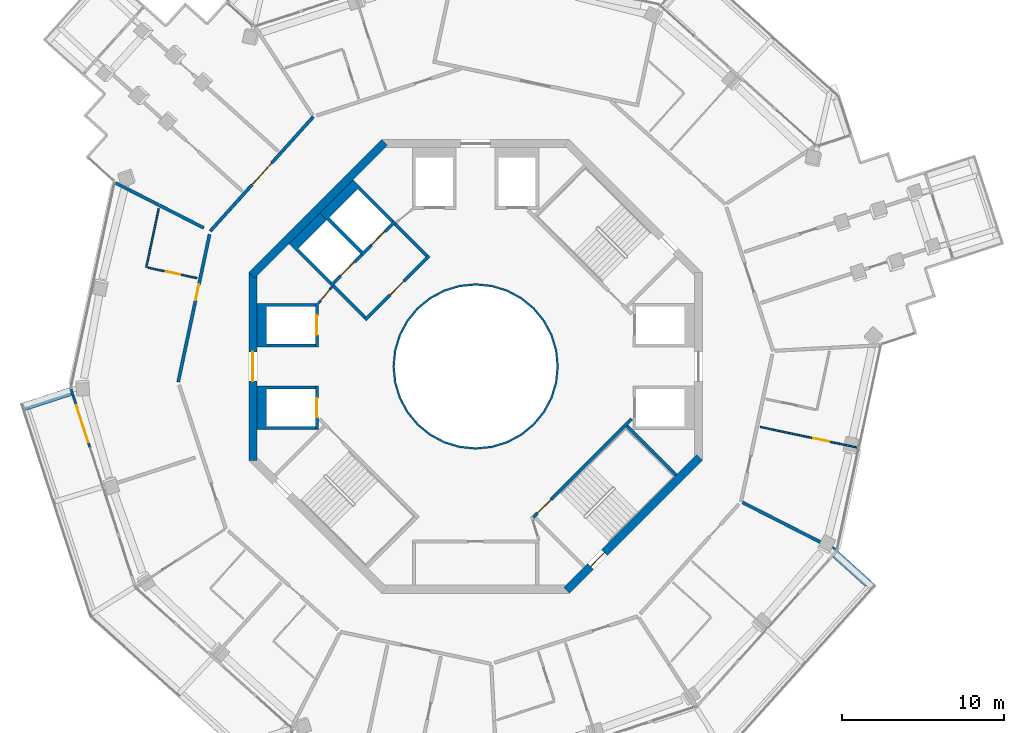
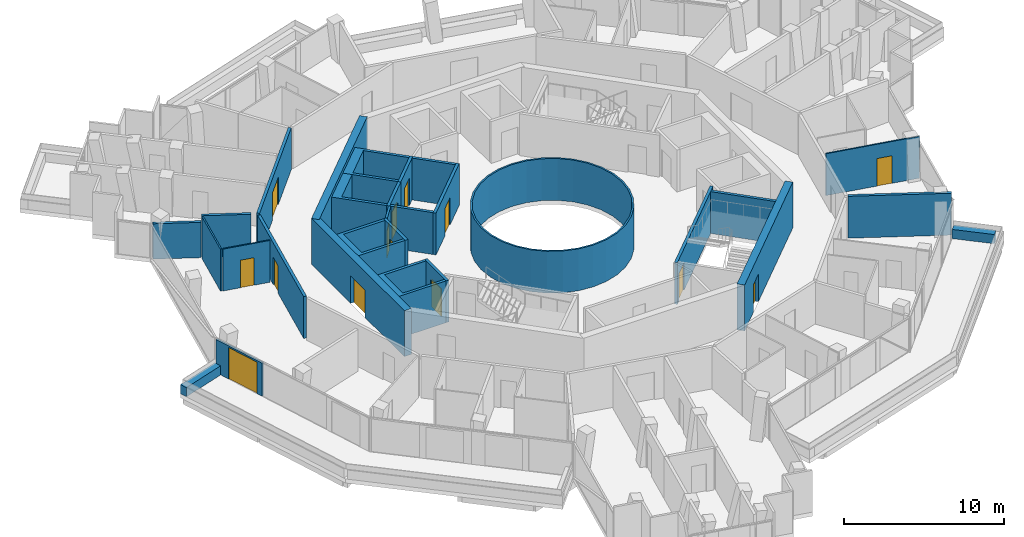
# One storey, part 16 of 22: 29 walls, 14 doors, 14 openings.
"""IFC4 building model written with IfcOpenShell, lengths in metres."""

import ifcopenshell
import ifcopenshell.guid

model = None  # the IFC model being written
_history = None  # IfcOwnerHistory: only IFC2X3 demands one
_inside = {}  # id of a spatial element -> (the spatial element, [elements in it])
_under = {}  # id of a project, library or spatial element -> (it, [spatial elements below it])
_declared = {}  # id of a project -> (the project, [libraries it declares])
_typed = {}  # id of a type object -> (the type object, [elements of that type])
_made_of = {}  # id of a material, layer set ... -> (it, [elements and type objects made of it])


def new_model(schema):
    """Start an empty IFC model of exactly this schema.

    Asked for "IFC4X3", IfcOpenShell would pick the latest addendum, in which some entities
    have other attributes; the version numbers below select the first issue.
    IFC2X3 requires an IfcOwnerHistory on every rooted entity: one is made here for all.
    """
    global model, _history
    if schema == "IFC4X3":
        model = ifcopenshell.file(schema_version=(4, 3, 0, 0))
    else:
        model = ifcopenshell.file(schema=schema)
    _inside.clear()
    _under.clear()
    _declared.clear()
    _typed.clear()
    _made_of.clear()
    _history = None
    if model.schema == "IFC2X3":
        org = make("IfcOrganization", Name="unknown")
        user = make(
            "IfcPersonAndOrganization",
            ThePerson=make("IfcPerson", FamilyName="unknown"),
            TheOrganization=org,
        )
        app = make(
            "IfcApplication",
            ApplicationDeveloper=org,
            Version="unknown",
            ApplicationFullName="unknown",
            ApplicationIdentifier="unknown",
        )
        _history = make(
            "IfcOwnerHistory",
            OwningUser=user,
            OwningApplication=app,
            ChangeAction="ADDED",
            CreationDate=0,
        )
    return model


def make(cls, **values):
    """One entity of the class cls with the attributes given. An attribute that is None is left unset."""
    return model.create_entity(
        cls, **{name: value for name, value in values.items() if value is not None}
    )


def rooted(cls, **values):
    """An entity with a GlobalId (a new one), such as an element, a storey or a relation."""
    return make(cls, GlobalId=ifcopenshell.guid.new(), OwnerHistory=_history, **values)


def si_unit(unit_type, name, prefix=None):
    """IfcSIUnit, for example si_unit("LENGTHUNIT", "METRE", prefix="MILLI")."""
    return make("IfcSIUnit", UnitType=unit_type, Prefix=prefix, Name=name)


def assignment(units):
    """IfcUnitAssignment: the units of a project."""
    return None if units is None else make("IfcUnitAssignment", Units=units)


def point(xyz):
    """IfcCartesianPoint."""
    return None if xyz is None else make("IfcCartesianPoint", Coordinates=xyz)


def direction(xyz):
    """IfcDirection."""
    return None if xyz is None else make("IfcDirection", DirectionRatios=xyz)


def frame(location, z_axis=None, x_axis=None):
    """IfcAxis2Placement3D, a coordinate frame: its origin and axes. An axis left out is left unset."""
    return make(
        "IfcAxis2Placement3D",
        Location=point(location),
        Axis=direction(z_axis),
        RefDirection=direction(x_axis),
    )


def frame_2d(location, x_axis=None):
    """IfcAxis2Placement2D, a coordinate frame in the plane: its origin and x axis."""
    return make(
        "IfcAxis2Placement2D", Location=point(location), RefDirection=direction(x_axis)
    )


def origin():
    """The frame at (0, 0, 0) with its axes left unset."""
    return frame((0.0, 0.0, 0.0))


def place(relative_to, where):
    """IfcLocalPlacement: puts the frame where relative to a parent placement (None: the world)."""
    return make(
        "IfcLocalPlacement", PlacementRelTo=relative_to, RelativePlacement=where
    )


def context(
    kind, dimensions, precision=None, world=None, true_north=None, identifier=None
):
    """IfcGeometricRepresentationContext, for example the 3D "Model" context."""
    return make(
        "IfcGeometricRepresentationContext",
        ContextIdentifier=identifier,
        ContextType=kind,
        CoordinateSpaceDimension=dimensions,
        Precision=precision,
        WorldCoordinateSystem=world,
        TrueNorth=true_north,
    )


def subcontext(parent, identifier, kind, view, scale=None):
    """IfcGeometricRepresentationSubContext, for example "Body" below "Model"."""
    return make(
        "IfcGeometricRepresentationSubContext",
        ContextIdentifier=identifier,
        ContextType=kind,
        ParentContext=parent,
        TargetScale=scale,
        TargetView=view,
    )


def project(units=None, contexts=None):
    """IfcProject with its units and contexts."""
    return rooted(
        "IfcProject",
        Name="project",
        RepresentationContexts=contexts,
        UnitsInContext=assignment(units),
    )


def spatial(cls, under=None, at=None, **own):
    """A site, building, storey or space (cls), placed at a placement, below another one or the project."""
    s = rooted(cls, ObjectPlacement=at, **own)
    if under is not None:
        _under.setdefault(under.id(), (under, []))[1].append(s)
    return s


def polyline(points):
    """IfcPolyline through the points."""
    return make("IfcPolyline", Points=[point(p) for p in points])


def profile(cls, at=None, kind="AREA", **sizes):
    """A parametric profile (cls). Its sizes go by their IFC names, for example OverallWidth=200.0."""
    return make(cls, ProfileType=kind, Position=at, **sizes)


def rectangle(**sizes):
    """IfcRectangleProfileDef."""
    return profile("IfcRectangleProfileDef", **sizes)


def outline(outer, holes=None, kind="AREA"):
    """IfcArbitraryClosedProfileDef: a profile drawn as a closed curve; with holes, ...WithVoids."""
    if holes is None:
        return make("IfcArbitraryClosedProfileDef", ProfileType=kind, OuterCurve=outer)
    return make(
        "IfcArbitraryProfileDefWithVoids",
        ProfileType=kind,
        OuterCurve=outer,
        InnerCurves=holes,
    )


def extrude(swept, where, along, depth):
    """IfcExtrudedAreaSolid: the profile swept, set in the frame where, extruded along a direction by depth."""
    return make(
        "IfcExtrudedAreaSolid",
        SweptArea=swept,
        Position=where,
        ExtrudedDirection=direction(along),
        Depth=depth,
    )


def shape(context_of_items, identifier, shape_type, items):
    """IfcShapeRepresentation: the items that make up one representation, for example the "Body"."""
    return make(
        "IfcShapeRepresentation",
        ContextOfItems=context_of_items,
        RepresentationIdentifier=identifier,
        RepresentationType=shape_type,
        Items=items,
    )


def material(Name=None, Category=None):
    """IfcMaterial."""
    return make("IfcMaterial", Name=Name, Category=Category)


def layer(
    of_material, thickness, ventilated=None, Name=None, Category=None, Priority=None
):
    """IfcMaterialLayer: one layer of a wall or slab, of a material (None: an air gap)."""
    return make(
        "IfcMaterialLayer",
        Material=of_material,
        LayerThickness=thickness,
        IsVentilated=ventilated,
        Name=Name,
        Category=Category,
        Priority=Priority,
    )


def layer_set(layers, Name=None):
    """IfcMaterialLayerSet."""
    return make("IfcMaterialLayerSet", MaterialLayers=layers, LayerSetName=Name)


def made_of(thing, what):
    """Note that an element or type object is made of a material, layer set ...; save() writes the relation."""
    if what is not None:
        _made_of.setdefault(what.id(), (what, []))[1].append(thing)
    return thing


def type_object(cls, material=None, **own):
    """A type object (cls), such as IfcWallType, which elements share."""
    return made_of(rooted(cls, **own), material)


def element(
    cls,
    number,
    at=None,
    inside=None,
    cuts=None,
    type_object=None,
    material=None,
    context=None,
    identifier="Body",
    shape_type=None,
    held_by="IfcProductDefinitionShape",
    body=None,
    shapes=None,
    **own,
):
    """One element of the class cls, such as IfcWall. Its Tag is "e" and its number.

    at: its placement. inside: the storey or other place that contains it. cuts: it is an
    opening in that element (IfcRelVoidsElement). A single representation is given by context,
    identifier, shape_type and body (its items); several are given by shapes. held_by: the class
    of the entity that holds the representations. save() writes the other relations.
    """
    e = rooted(cls, Tag="e%d" % number, ObjectPlacement=at, **own)
    if body is not None:
        shapes = [shape(context, identifier, shape_type, body)]
    if shapes is not None:
        e.Representation = make(held_by, Representations=shapes)
    if inside is not None:
        _inside.setdefault(inside.id(), (inside, []))[1].append(e)
    if cuts is not None:
        rooted(
            "IfcRelVoidsElement", RelatingBuildingElement=cuts, RelatedOpeningElement=e
        )
    if type_object is not None:
        _typed.setdefault(type_object.id(), (type_object, []))[1].append(e)
    return made_of(e, material)


def fill(opening, filler):
    """IfcRelFillsElement: the door or window that sits in an opening."""
    return rooted(
        "IfcRelFillsElement",
        RelatingOpeningElement=opening,
        RelatedBuildingElement=filler,
    )


def aggregate(whole, parts):
    """IfcRelAggregates: a whole, such as a stair, and the parts it consists of."""
    return rooted("IfcRelAggregates", RelatingObject=whole, RelatedObjects=parts)


def save(model, path):
    """Write the relations noted so far, then the file.

    IfcRelAggregates (storeys below a building ...), IfcRelContainedInSpatialStructure (elements
    in a storey), IfcRelDefinesByType, IfcRelAssociatesMaterial and IfcRelDeclares: one each for
    every whole, place, type object, material and project.
    """
    for whole, parts in _under.values():
        aggregate(whole, parts)
    for where, things in _inside.values():
        rooted(
            "IfcRelContainedInSpatialStructure",
            RelatedElements=things,
            RelatingStructure=where,
        )
    for kind, things in _typed.values():
        rooted("IfcRelDefinesByType", RelatedObjects=things, RelatingType=kind)
    for what, things in _made_of.values():
        rooted("IfcRelAssociatesMaterial", RelatedObjects=things, RelatingMaterial=what)
    for by, libraries in _declared.values():
        rooted("IfcRelDeclares", RelatingContext=by, RelatedDefinitions=libraries)
    model.write(path)


model = new_model("IFC4")

# Units and contexts
model_context = context("Model", 3, precision=1e-05, world=origin(), true_north=direction((0.0, 1.0)))
body_context = subcontext(model_context, "Body", "Model", "MODEL_VIEW")
ifc_project = project(units=[si_unit("LENGTHUNIT", "METRE"), si_unit("AREAUNIT", "SQUARE_METRE"), si_unit("VOLUMEUNIT", "CUBIC_METRE"), si_unit("PLANEANGLEUNIT", "RADIAN"), si_unit("MASSUNIT", "GRAM", prefix="KILO")], contexts=[model_context])

# Site, building, storey
site_placement = place(None, origin())
site = spatial("IfcSite", under=ifc_project, at=site_placement, CompositionType="ELEMENT")
building_placement = place(site_placement, origin())
building = spatial("IfcBuilding", under=site, at=building_placement, Name="Verdalira Terraces Hotel", CompositionType="ELEMENT")
storey_placement = place(building_placement, frame((0.0, 0.0, 230.5)))
storey = spatial("IfcBuildingStorey", under=building, at=storey_placement, Name="L56", CompositionType="ELEMENT", Elevation=230.5)

# Walls
ifc_material_1 = material(Name="Fire-resisting glass EI 180", Category="glass")
ifc_layer_1 = layer(ifc_material_1, 0.1201171875)
ifc_layer_set_1 = layer_set([ifc_layer_1], Name="Atrium fire screen 120 mm")
wall_type_1 = type_object("IfcWallType", Name="Atrium fire screen 120 mm", PredefinedType="SOLIDWALL", material=ifc_layer_set_1)
wall_1_placement = place(storey_placement, origin())
element("IfcWall", 1, at=wall_1_placement, inside=storey, type_object=wall_type_1, Name="Atrium fire screen", PredefinedType="SOLIDWALL", context=body_context, shape_type="SweptSolid", body=[
    extrude(outline(polyline([(5.021484, -0.998779), (4.730225, -1.959229), (4.25708, -2.844482), (3.620361, -3.620361), (2.844482, -4.25708), (1.959229, -4.730225), (0.998779, -5.021484), (0.0, -5.120117), (-0.998779, -5.021484), (-1.959229, -4.730225), (-2.844482, -4.25708), (-3.620361, -3.620361), (-4.25708, -2.844482), (-4.730225, -1.959229), (-5.021484, -0.998779), (-5.120117, 0.0), (-5.021484, 0.998779), (-4.730225, 1.959229), (-4.25708, 2.844482), (-3.620361, 3.620361), (-2.844482, 4.25708), (-1.959229, 4.730225), (-0.998779, 5.021484), (0.0, 5.120117), (0.998779, 5.021484), (1.959229, 4.730225), (2.844482, 4.25708), (3.620361, 3.620361), (4.25708, 2.844482), (4.730225, 1.959229), (5.021484, 0.998779), (5.120117, 0.0), (5.021484, -0.998779)]), holes=[polyline([(4.903809, 0.975586), (4.619385, 1.91333), (4.157227, 2.777832), (3.5354, 3.5354), (2.777832, 4.157227), (1.91333, 4.619385), (0.975586, 4.903809), (0.0, 5.0), (-0.975586, 4.903809), (-1.91333, 4.619385), (-2.777832, 4.157227), (-3.5354, 3.5354), (-4.157227, 2.777832), (-4.619385, 1.91333), (-4.903809, 0.975586), (-5.0, 0.0), (-4.903809, -0.975586), (-4.619385, -1.91333), (-4.157227, -2.777832), (-3.5354, -3.5354), (-2.777832, -4.157227), (-1.91333, -4.619385), (-0.975586, -4.903809), (0.0, -5.0), (0.975586, -4.903809), (1.91333, -4.619385), (2.777832, -4.157227), (3.5354, -3.5354), (4.157227, -2.777832), (4.619385, -1.91333), (4.903809, -0.975586), (5.0, 0.0), (4.903809, 0.975586)])]), origin(), (0.0, 0.0, 1.0), 3.189941),
])
ifc_material_2 = material(Name="Concrete C40", Category="concrete")
ifc_layer_2 = layer(ifc_material_2, 0.5)
ifc_layer_set_2 = layer_set([ifc_layer_2], Name="Balcony planter trough with tree")
wall_type_2 = type_object("IfcWallType", Name="Balcony planter trough with tree", PredefinedType="SOLIDWALL", material=ifc_layer_set_2)
wall_2_placement = place(storey_placement, frame((-25.003418, -1.55249, 0.0), z_axis=(0.0, 0.0, 1.0), x_axis=(-0.951059864, -0.309006691, 0.0)))
element("IfcWall", 2, at=wall_2_placement, inside=storey, type_object=wall_type_2, Name="Balcony planter", PredefinedType="SOLIDWALL", context=body_context, shape_type="SweptSolid", body=[
    extrude(rectangle(XDim=3.198975, YDim=0.5, at=frame_2d((1.599609, 0.0))), origin(), (0.0, 0.0, 1.0), 0.699951),
])
wall_3_placement = place(storey_placement, frame((24.216064, -13.394043, 0.0), z_axis=(0.0, 0.0, 1.0), x_axis=(-0.743132215, 0.669144611, 0.0)))
element("IfcWall", 3, at=wall_3_placement, inside=storey, type_object=wall_type_2, Name="Balcony planter", PredefinedType="SOLIDWALL", context=body_context, shape_type="SweptSolid", body=[
    extrude(rectangle(XDim=2.699219, YDim=0.5, at=frame_2d((1.349609, 0.0))), origin(), (0.0, 0.0, 1.0), 0.699951),
])
ifc_material_3 = material(Name="Moisture-resistant gypsum board partition")
ifc_layer_3 = layer(ifc_material_3, 0.10009765625)
ifc_layer_set_3 = layer_set([ifc_layer_3], Name="Bathroom partition 100 mm")
wall_type_3 = type_object("IfcWallType", Name="Bathroom partition 100 mm", PredefinedType="PARTITIONING", material=ifc_layer_set_3)
wall_4_placement = place(storey_placement, frame((-20.330322, 6.118896, 0.0), z_axis=(0.0, 0.0, 1.0), x_axis=(0.207890288, 0.97815215, 0.0)))
element("IfcWall", 4, at=wall_4_placement, inside=storey, type_object=wall_type_3, Name="Bathroom partition", PredefinedType="PARTITIONING", context=body_context, shape_type="SweptSolid", body=[
    extrude(rectangle(XDim=3.703857, YDim=0.100098, at=frame_2d((1.852051, 0.0))), origin(), (0.0, 0.0, 1.0), 3.189941),
])

# Wall, opening, door
wall_5_placement = place(storey_placement, frame((-20.232666, 6.098145, 0.0), z_axis=(0.0, 0.0, 1.0), x_axis=(0.978150244, -0.207899255, 0.0)))
wall_5 = element("IfcWall", 5, at=wall_5_placement, inside=storey, type_object=wall_type_3, Name="Bathroom partition", PredefinedType="PARTITIONING", context=body_context, shape_type="SweptSolid", body=[
    extrude(rectangle(XDim=3.100098, YDim=0.100098, at=frame_2d((1.550049, 0.0))), origin(), (0.0, 0.0, 1.0), 3.189941),
])
opening_1_placement = place(wall_5_placement, frame((1.149902, 0.0, 0.0)))
opening_1 = element("IfcOpeningElement", 6, at=opening_1_placement, cuts=wall_5, Name="Opening L56-105", PredefinedType="OPENING", context=body_context, shape_type="SweptSolid", body=[
    extrude(rectangle(XDim=0.899902, YDim=2.100098, at=frame_2d((0.449951, 1.050049))), frame((0.0, 0.060059, 0.0), z_axis=(0.0, -1.0, 0.0), x_axis=(1.0, 0.0, 0.0)), (0.0, 0.0, 1.0), 0.120117),
])
ifc_material_4 = material(Name="Timber door", Category="wood")
door_type_1 = type_object("IfcDoorType", Name="Bathroom door 900 x 2100", OperationType="NOTDEFINED", PredefinedType="DOOR", material=ifc_material_4)
door_1_placement = place(opening_1_placement, origin())
door_1 = element("IfcDoor", 7, at=door_1_placement, inside=storey, type_object=door_type_1, Name="Bathroom door 5602", OperationType="SINGLE_SWING_LEFT", OverallHeight=2.10009765625, OverallWidth=0.89990234375, PredefinedType="DOOR", context=body_context, shape_type="SweptSolid", body=[
    extrude(rectangle(XDim=0.899902, YDim=2.100098, at=frame_2d((0.449951, 1.050049))), frame((0.0, 0.024902, 0.0), z_axis=(0.0, -1.0, 0.0), x_axis=(1.0, 0.0, 0.0)), (0.0, 0.0, 1.0), 0.050049),
])
fill(opening_1, door_1)

wall_6_placement = place(storey_placement, frame((17.565918, -3.733643, 0.0), z_axis=(0.0, 0.0, 1.0), x_axis=(0.978142706, -0.20793472, 0.0)))
wall_6 = element("IfcWall", 8, at=wall_6_placement, inside=storey, type_object=wall_type_3, Name="Bathroom partition", PredefinedType="PARTITIONING", context=body_context, shape_type="SweptSolid", body=[
    extrude(rectangle(XDim=6.150146, YDim=0.100098, at=frame_2d((3.075195, 0.0))), origin(), (0.0, 0.0, 1.0), 3.189941),
])
opening_2_placement = place(wall_6_placement, frame((3.350098, 0.0, 0.0)))
opening_2 = element("IfcOpeningElement", 9, at=opening_2_placement, cuts=wall_6, Name="Opening L56-122", PredefinedType="OPENING", context=body_context, shape_type="SweptSolid", body=[
    extrude(rectangle(XDim=1.0, YDim=2.100098, at=frame_2d((0.5, 1.050049))), frame((0.0, 0.060059, 0.0), z_axis=(0.0, -1.0, 0.0), x_axis=(1.0, 0.0, 0.0)), (0.0, 0.0, 1.0), 0.120117),
])
ifc_material_5 = material(Name="Timber door", Category="wood")
door_type_2 = type_object("IfcDoorType", Name="Suite internal door 1000 x 2100", OperationType="NOTDEFINED", PredefinedType="DOOR", material=ifc_material_5)
door_2_placement = place(opening_2_placement, origin())
door_2 = element("IfcDoor", 10, at=door_2_placement, inside=storey, type_object=door_type_2, Name="Suite internal door 5608", OperationType="SINGLE_SWING_LEFT", OverallHeight=2.10009765625, OverallWidth=1.0, PredefinedType="DOOR", context=body_context, shape_type="SweptSolid", body=[
    extrude(rectangle(XDim=1.0, YDim=2.100098, at=frame_2d((0.5, 1.050049))), frame((0.0, 0.024902, 0.0), z_axis=(0.0, -1.0, 0.0), x_axis=(1.0, 0.0, 0.0)), (0.0, 0.0, 1.0), 0.050049),
])
fill(opening_2, door_2)

# Wall
ifc_material_6 = material(Name="Concrete C50", Category="concrete")
ifc_layer_4 = layer(ifc_material_6, 0.199951171875)
ifc_layer_set_4 = layer_set([ifc_layer_4], Name="Core RC wall 200 C50")
wall_type_4 = type_object("IfcWallType", Name="Core RC wall 200 C50", PredefinedType="SOLIDWALL", material=ifc_layer_set_4)
wall_7_placement = place(storey_placement, origin())
element("IfcWall", 11, at=wall_7_placement, inside=storey, type_object=wall_type_4, Name="L56 shaft wall W1", PredefinedType="SOLIDWALL", context=body_context, shape_type="SweptSolid", body=[
    extrude(outline(polyline([(-13.5, 3.899902), (-9.899902, 3.899902), (-9.899902, 3.699951), (-12.899902, 3.699951), (-12.899902, 1.399902), (-9.899902, 1.399902), (-9.899902, 1.199951), (-13.5, 1.199951), (-13.5, 3.899902)])), origin(), (0.0, 0.0, 1.0), 3.189941),
])

# Wall, opening, door
wall_8_placement = place(storey_placement, frame((-9.800049, 1.199951, 0.0), z_axis=(0.0, 0.0, 1.0), x_axis=(0.0, 1.0, 0.0)))
wall_8 = element("IfcWall", 12, at=wall_8_placement, inside=storey, type_object=wall_type_4, Name="L56 shaft front wall W1", PredefinedType="SOLIDWALL", context=body_context, shape_type="SweptSolid", body=[
    extrude(rectangle(XDim=2.699951, YDim=0.199951, at=frame_2d((1.350098, 0.0))), origin(), (0.0, 0.0, 1.0), 3.189941),
])
opening_3_placement = place(wall_8_placement, frame((0.75, 0.0, 0.0)))
opening_3 = element("IfcOpeningElement", 13, at=opening_3_placement, cuts=wall_8, Name="Opening LD-L56-806", PredefinedType="OPENING", context=body_context, shape_type="SweptSolid", body=[
    extrude(rectangle(XDim=1.199951, YDim=2.100098, at=frame_2d((0.600098, 1.050049))), frame((0.0, 0.109863, 0.0), z_axis=(0.0, -1.0, 0.0), x_axis=(1.0, 0.0, 0.0)), (0.0, 0.0, 1.0), 0.219971),
])
ifc_material_7 = material(Name="Stainless steel", Category="steel")
door_type_3 = type_object("IfcDoorType", Name="Landing door 1200 x 2100", OperationType="NOTDEFINED", PredefinedType="DOOR", material=ifc_material_7)
door_3_placement = place(opening_3_placement, origin())
door_3 = element("IfcDoor", 14, at=door_3_placement, inside=storey, type_object=door_type_3, Name="Lift landing door HR5 L56", OperationType="DOUBLE_DOOR_SLIDING", OverallHeight=2.10009765625, OverallWidth=1.199951171875, PredefinedType="DOOR", context=body_context, shape_type="SweptSolid", body=[
    extrude(rectangle(XDim=1.199951, YDim=2.100098, at=frame_2d((0.600098, 1.050049))), frame((0.0, 0.024902, 0.0), z_axis=(0.0, -1.0, 0.0), x_axis=(1.0, 0.0, 0.0)), (0.0, 0.0, 1.0), 0.050049),
])
fill(opening_3, door_3)

# Wall
wall_9_placement = place(storey_placement, origin())
element("IfcWall", 15, at=wall_9_placement, inside=storey, type_object=wall_type_4, Name="L56 shaft wall W2", PredefinedType="SOLIDWALL", context=body_context, shape_type="SweptSolid", body=[
    extrude(outline(polyline([(-13.5, -3.899902), (-13.5, -1.199951), (-9.899902, -1.199951), (-9.899902, -1.399902), (-12.899902, -1.399902), (-12.899902, -3.699951), (-9.899902, -3.699951), (-9.899902, -3.899902), (-13.5, -3.899902)])), origin(), (0.0, 0.0, 1.0), 3.189941),
])

# Wall, opening, door
wall_10_placement = place(storey_placement, frame((-9.800049, -1.199951, 0.0), z_axis=(0.0, 0.0, 1.0), x_axis=(0.0, -1.0, 0.0)))
wall_10 = element("IfcWall", 16, at=wall_10_placement, inside=storey, type_object=wall_type_4, Name="L56 shaft front wall W2", PredefinedType="SOLIDWALL", context=body_context, shape_type="SweptSolid", body=[
    extrude(rectangle(XDim=2.699951, YDim=0.199951, at=frame_2d((1.350098, 0.0))), origin(), (0.0, 0.0, 1.0), 3.189941),
])
opening_4_placement = place(wall_10_placement, frame((0.75, 0.0, 0.0)))
opening_4 = element("IfcOpeningElement", 17, at=opening_4_placement, cuts=wall_10, Name="Opening LD-L56-807", PredefinedType="OPENING", context=body_context, shape_type="SweptSolid", body=[
    extrude(rectangle(XDim=1.199951, YDim=2.100098, at=frame_2d((0.600098, 1.050049))), frame((0.0, 0.109863, 0.0), z_axis=(0.0, -1.0, 0.0), x_axis=(1.0, 0.0, 0.0)), (0.0, 0.0, 1.0), 0.219971),
])
door_4_placement = place(opening_4_placement, origin())
door_4 = element("IfcDoor", 18, at=door_4_placement, inside=storey, type_object=door_type_3, Name="Lift landing door HR6 L56", OperationType="DOUBLE_DOOR_SLIDING", OverallHeight=2.10009765625, OverallWidth=1.199951171875, PredefinedType="DOOR", context=body_context, shape_type="SweptSolid", body=[
    extrude(rectangle(XDim=1.199951, YDim=2.100098, at=frame_2d((0.600098, 1.050049))), frame((0.0, 0.024902, 0.0), z_axis=(0.0, -1.0, 0.0), x_axis=(1.0, 0.0, 0.0)), (0.0, 0.0, 1.0), 0.050049),
])
fill(opening_4, door_4)

# Wall
wall_11_placement = place(storey_placement, origin())
element("IfcWall", 19, at=wall_11_placement, inside=storey, type_object=wall_type_4, Name="L56 shaft wall F1", PredefinedType="SOLIDWALL", context=body_context, shape_type="SweptSolid", body=[
    extrude(outline(polyline([(-9.616699, 9.475098), (-7.565918, 11.525879), (-5.055908, 9.015625), (-5.197266, 8.874268), (-7.283203, 10.960205), (-9.051025, 9.192383), (-6.965088, 7.106445), (-7.106445, 6.965088), (-9.616699, 9.475098)])), origin(), (0.0, 0.0, 1.0), 3.189941),
])

# Wall, opening, door
wall_12_placement = place(storey_placement, frame((-4.985107, 8.944824, 0.0), z_axis=(0.0, 0.0, 1.0), x_axis=(-0.707106781, -0.707106781, 0.0)))
wall_12 = element("IfcWall", 20, at=wall_12_placement, inside=storey, type_object=wall_type_4, Name="L56 shaft front wall F1", PredefinedType="SOLIDWALL", context=body_context, shape_type="SweptSolid", body=[
    extrude(rectangle(XDim=2.899902, YDim=0.199951, at=frame_2d((1.449951, 0.0))), origin(), (0.0, 0.0, 1.0), 3.189941),
])
opening_5_placement = place(wall_12_placement, frame((0.850098, 0.0, 0.0)))
opening_5 = element("IfcOpeningElement", 21, at=opening_5_placement, cuts=wall_12, Name="Opening LD-L56-808", PredefinedType="OPENING", context=body_context, shape_type="SweptSolid", body=[
    extrude(rectangle(XDim=1.199951, YDim=2.100098, at=frame_2d((0.600098, 1.050049))), frame((0.0, 0.109863, 0.0), z_axis=(0.0, -1.0, 0.0), x_axis=(1.0, 0.0, 0.0)), (0.0, 0.0, 1.0), 0.219971),
])
door_5_placement = place(opening_5_placement, origin())
door_5 = element("IfcDoor", 22, at=door_5_placement, inside=storey, type_object=door_type_3, Name="Lift landing door LF11 L56", OperationType="DOUBLE_DOOR_SLIDING", OverallHeight=2.10009765625, OverallWidth=1.199951171875, PredefinedType="DOOR", context=body_context, shape_type="SweptSolid", body=[
    extrude(rectangle(XDim=1.199951, YDim=2.100098, at=frame_2d((0.600098, 1.050049))), frame((0.0, 0.024902, 0.0), z_axis=(0.0, -1.0, 0.0), x_axis=(1.0, 0.0, 0.0)), (0.0, 0.0, 1.0), 0.050049),
])
fill(opening_5, door_5)

# Wall
wall_13_placement = place(storey_placement, origin())
element("IfcWall", 23, at=wall_13_placement, inside=storey, type_object=wall_type_4, Name="L56 shaft wall F2", PredefinedType="SOLIDWALL", context=body_context, shape_type="SweptSolid", body=[
    extrude(outline(polyline([(-11.525879, 7.565918), (-9.616699, 9.475098), (-9.192383, 9.051025), (-10.960205, 7.283203), (-8.874268, 5.197266), (-9.015625, 5.055908), (-11.525879, 7.565918)])), origin(), (0.0, 0.0, 1.0), 3.189941),
])

# Wall, opening, door
wall_14_placement = place(storey_placement, frame((-7.035645, 6.894287, 0.0), z_axis=(0.0, 0.0, 1.0), x_axis=(-0.707106781, -0.707106781, 0.0)))
wall_14 = element("IfcWall", 24, at=wall_14_placement, inside=storey, type_object=wall_type_4, Name="L56 shaft front wall F2", PredefinedType="SOLIDWALL", context=body_context, shape_type="SweptSolid", body=[
    extrude(rectangle(XDim=2.699951, YDim=0.199951, at=frame_2d((1.350098, 0.0))), origin(), (0.0, 0.0, 1.0), 3.189941),
])
opening_6_placement = place(wall_14_placement, frame((0.649902, 0.0, 0.0)))
opening_6 = element("IfcOpeningElement", 25, at=opening_6_placement, cuts=wall_14, Name="Opening LD-L56-809", PredefinedType="OPENING", context=body_context, shape_type="SweptSolid", body=[
    extrude(rectangle(XDim=1.199951, YDim=2.100098, at=frame_2d((0.600098, 1.050049))), frame((0.0, 0.109863, 0.0), z_axis=(0.0, -1.0, 0.0), x_axis=(1.0, 0.0, 0.0)), (0.0, 0.0, 1.0), 0.219971),
])
door_6_placement = place(opening_6_placement, origin())
door_6 = element("IfcDoor", 26, at=door_6_placement, inside=storey, type_object=door_type_3, Name="Lift landing door LF12 L56", OperationType="DOUBLE_DOOR_SLIDING", OverallHeight=2.10009765625, OverallWidth=1.199951171875, PredefinedType="DOOR", context=body_context, shape_type="SweptSolid", body=[
    extrude(rectangle(XDim=1.199951, YDim=2.100098, at=frame_2d((0.600098, 1.050049))), frame((0.0, 0.024902, 0.0), z_axis=(0.0, -1.0, 0.0), x_axis=(1.0, 0.0, 0.0)), (0.0, 0.0, 1.0), 0.050049),
])
fill(opening_6, door_6)

wall_15_placement = place(storey_placement, frame((9.629395, -3.23999, 0.0), z_axis=(0.0, 0.0, 1.0), x_axis=(-0.707120946, -0.707092617, 0.0)))
wall_15 = element("IfcWall", 27, at=wall_15_placement, inside=storey, type_object=wall_type_4, Name="L56 stair ST3 front wall", PredefinedType="SOLIDWALL", context=body_context, shape_type="SweptSolid", body=[
    extrude(rectangle(XDim=8.61792, YDim=0.199951, at=frame_2d((4.309082, 0.0))), origin(), (0.0, 0.0, 1.0), 3.189941),
])
opening_7_placement = place(wall_15_placement, frame((7.017822, 0.0, 0.0)))
opening_7 = element("IfcOpeningElement", 28, at=opening_7_placement, cuts=wall_15, Name="Opening L56-812", PredefinedType="OPENING", context=body_context, shape_type="SweptSolid", body=[
    extrude(rectangle(XDim=1.199951, YDim=2.100098, at=frame_2d((0.600098, 1.050049))), frame((0.0, 0.109863, 0.0), z_axis=(0.0, -1.0, 0.0), x_axis=(1.0, 0.0, 0.0)), (0.0, 0.0, 1.0), 0.219971),
])
ifc_material_8 = material(Name="Steel fire door", Category="steel")
door_type_4 = type_object("IfcDoorType", Name="Stair door 1200 x 2100", OperationType="NOTDEFINED", PredefinedType="DOOR", material=ifc_material_8)
door_7_placement = place(opening_7_placement, origin())
door_7 = element("IfcDoor", 29, at=door_7_placement, inside=storey, type_object=door_type_4, Name="Stair door ST3 L56", OperationType="SINGLE_SWING_RIGHT", OverallHeight=2.10009765625, OverallWidth=1.199951171875, PredefinedType="DOOR", context=body_context, shape_type="SweptSolid", body=[
    extrude(rectangle(XDim=1.199951, YDim=2.100098, at=frame_2d((0.600098, 1.050049))), frame((0.0, 0.024902, 0.0), z_axis=(0.0, -1.0, 0.0), x_axis=(1.0, 0.0, 0.0)), (0.0, 0.0, 1.0), 0.050049),
])
fill(opening_7, door_7)

# Wall
wall_16_placement = place(storey_placement, frame((9.33374, -3.677002, 0.0), z_axis=(0.0, 0.0, 1.0), x_axis=(0.707135168, -0.707078393, 0.0)))
element("IfcWall", 30, at=wall_16_placement, inside=storey, type_object=wall_type_4, Name="L56 stair ST3 end wall 2", PredefinedType="SOLIDWALL", context=body_context, shape_type="SweptSolid", body=[
    extrude(rectangle(XDim=4.300049, YDim=0.199951, at=frame_2d((2.149902, 0.0))), origin(), (0.0, 0.0, 1.0), 3.189941),
])

# Wall, opening, door
wall_17_placement = place(storey_placement, frame((-2.86377, 6.823486, 0.0), z_axis=(0.0, 0.0, 1.0), x_axis=(-0.707106781, -0.707106781, 0.0)))
wall_17 = element("IfcWall", 31, at=wall_17_placement, inside=storey, type_object=wall_type_4, Name="L56 fire lobby wall", PredefinedType="SOLIDWALL", context=body_context, shape_type="SweptSolid", body=[
    extrude(rectangle(XDim=5.599854, YDim=0.199951, at=frame_2d((2.799805, 0.0))), origin(), (0.0, 0.0, 1.0), 3.189941),
])
opening_8_placement = place(wall_17_placement, frame((2.199951, 0.0, 0.0)))
opening_8 = element("IfcOpeningElement", 32, at=opening_8_placement, cuts=wall_17, Name="Opening L56-819", PredefinedType="OPENING", context=body_context, shape_type="SweptSolid", body=[
    extrude(rectangle(XDim=1.199951, YDim=2.100098, at=frame_2d((0.600098, 1.050049))), frame((0.0, 0.109863, 0.0), z_axis=(0.0, -1.0, 0.0), x_axis=(1.0, 0.0, 0.0)), (0.0, 0.0, 1.0), 0.219971),
])
ifc_material_9 = material(Name="Steel fire door", Category="steel")
door_type_5 = type_object("IfcDoorType", Name="Lobby door 1200 x 2100", OperationType="NOTDEFINED", PredefinedType="DOOR", material=ifc_material_9)
door_8_placement = place(opening_8_placement, origin())
door_8 = element("IfcDoor", 33, at=door_8_placement, inside=storey, type_object=door_type_5, Name="Fire lobby door L56", OperationType="SINGLE_SWING_LEFT", OverallHeight=2.10009765625, OverallWidth=1.199951171875, PredefinedType="DOOR", context=body_context, shape_type="SweptSolid", body=[
    extrude(rectangle(XDim=1.199951, YDim=2.100098, at=frame_2d((0.600098, 1.050049))), frame((0.0, 0.024902, 0.0), z_axis=(0.0, -1.0, 0.0), x_axis=(1.0, 0.0, 0.0)), (0.0, 0.0, 1.0), 0.050049),
])
fill(opening_8, door_8)

# Walls
for number, where, z_axis, x_axis, name in (
    (34, (-3.005127, 6.823486, 0.0), (0.0, 0.0, 1.0), (-0.707106781, 0.707106781, 0.0), "L56 fire lobby wall"),
    (35, (-6.823486, 3.005127, 0.0), (0.0, 0.0, 1.0), (-0.707106781, 0.707106781, 0.0), "L56 fire lobby wall"),
):
    element("IfcWall", number, at=place(storey_placement, frame(where, z_axis=z_axis, x_axis=x_axis)), inside=storey, type_object=wall_type_4, Name=name, PredefinedType="SOLIDWALL", context=body_context, shape_type="SweptSolid", body=[
        extrude(rectangle(XDim=2.800049, YDim=0.199951, at=frame_2d((1.399902, 0.0))), origin(), (0.0, 0.0, 1.0), 3.189941),
    ])

# Wall, opening, door
ifc_material_10 = material(Name="Gypsum board partition")
ifc_layer_5 = layer(ifc_material_10, 0.14990234375)
ifc_layer_set_5 = layer_set([ifc_layer_5], Name="Core partition 150 mm")
wall_type_5 = type_object("IfcWallType", Name="Core partition 150 mm", PredefinedType="PARTITIONING", material=ifc_layer_set_5)
wall_18_placement = place(storey_placement, frame((-8.874268, 4.914307, 0.0), z_axis=(0.0, 0.0, 1.0), x_axis=(-0.631274009, -0.775559878, 0.0)))
wall_18 = element("IfcWall", 36, at=wall_18_placement, inside=storey, type_object=wall_type_5, Name="Room partition L56", PredefinedType="PARTITIONING", context=body_context, shape_type="SweptSolid", body=[
    extrude(rectangle(XDim=1.307861, YDim=0.149902, at=frame_2d((0.653809, 0.0))), origin(), (0.0, 0.0, 1.0), 3.189941),
])
opening_9_placement = place(wall_18_placement, frame((0.204102, 0.0, 0.0)))
opening_9 = element("IfcOpeningElement", 37, at=opening_9_placement, cuts=wall_18, Name="Opening L56-821", PredefinedType="OPENING", context=body_context, shape_type="SweptSolid", body=[
    extrude(rectangle(XDim=0.899902, YDim=2.100098, at=frame_2d((0.449951, 1.050049))), frame((0.0, 0.084961, 0.0), z_axis=(0.0, -1.0, 0.0), x_axis=(1.0, 0.0, 0.0)), (0.0, 0.0, 1.0), 0.169922),
])
ifc_material_11 = material(Name="Steel fire door", Category="steel")
door_type_6 = type_object("IfcDoorType", Name="Core room door 900 x 2100", OperationType="NOTDEFINED", PredefinedType="DOOR", material=ifc_material_11)
door_9_placement = place(opening_9_placement, origin())
door_9 = element("IfcDoor", 38, at=door_9_placement, inside=storey, type_object=door_type_6, Name="Door L56 room3", OperationType="SINGLE_SWING_LEFT", OverallHeight=2.10009765625, OverallWidth=0.89990234375, PredefinedType="DOOR", context=body_context, shape_type="SweptSolid", body=[
    extrude(rectangle(XDim=0.899902, YDim=2.100098, at=frame_2d((0.449951, 1.050049))), frame((0.0, 0.024902, 0.0), z_axis=(0.0, -1.0, 0.0), x_axis=(1.0, 0.0, 0.0)), (0.0, 0.0, 1.0), 0.050049),
])
fill(opening_9, door_9)

# Wall
ifc_material_12 = material(Name="Concrete C50", Category="concrete")
ifc_layer_6 = layer(ifc_material_12, 0.5)
ifc_layer_set_6 = layer_set([ifc_layer_6], Name="Core wall 500 C50")
wall_type_6 = type_object("IfcWallType", Name="Core wall 500 C50", PredefinedType="SHEAR", material=ifc_layer_set_6)
wall_19_placement = place(storey_placement, frame((-5.622314, 13.823242, 0.0), z_axis=(0.0, 0.0, 1.0), x_axis=(-0.707106781, -0.707106781, 0.0)))
element("IfcWall", 39, at=wall_19_placement, inside=storey, type_object=wall_type_6, Name="Core wall CW-L56-4", PredefinedType="SHEAR", context=body_context, shape_type="SweptSolid", body=[
    extrude(rectangle(XDim=11.5979, YDim=0.5, at=frame_2d((5.798828, 0.0))), origin(), (0.0, 0.0, 1.0), 3.5),
])

# Wall, opening, door
wall_20_placement = place(storey_placement, frame((-13.75, 5.799072, 0.0), z_axis=(0.0, 0.0, 1.0), x_axis=(0.0, -1.0, 0.0)))
wall_20 = element("IfcWall", 40, at=wall_20_placement, inside=storey, type_object=wall_type_6, Name="Core wall CW-L56-5", PredefinedType="SHEAR", context=body_context, shape_type="SweptSolid", body=[
    extrude(rectangle(XDim=11.598145, YDim=0.5, at=frame_2d((5.799072, 0.0))), origin(), (0.0, 0.0, 1.0), 3.5),
])
opening_10_placement = place(wall_20_placement, frame((4.898926, 0.0, 0.0)))
opening_10 = element("IfcOpeningElement", 41, at=opening_10_placement, cuts=wall_20, Name="Opening L56-815", PredefinedType="OPENING", context=body_context, shape_type="SweptSolid", body=[
    extrude(rectangle(XDim=1.800049, YDim=2.100098, at=frame_2d((0.899902, 1.050049))), frame((0.0, 0.26001, 0.0), z_axis=(0.0, -1.0, 0.0), x_axis=(1.0, 0.0, 0.0)), (0.0, 0.0, 1.0), 0.52002),
])
ifc_material_13 = material(Name="Steel fire door", Category="steel")
door_type_7 = type_object("IfcDoorType", Name="Core entry door pair 1800 x 2100", OperationType="NOTDEFINED", PredefinedType="DOOR", material=ifc_material_13)
door_10_placement = place(opening_10_placement, origin())
door_10 = element("IfcDoor", 42, at=door_10_placement, inside=storey, type_object=door_type_7, Name="Core entry door L56 4", OperationType="DOUBLE_DOOR_SINGLE_SWING", OverallHeight=2.10009765625, OverallWidth=1.800048828125, PredefinedType="DOOR", context=body_context, shape_type="SweptSolid", body=[
    extrude(rectangle(XDim=1.800049, YDim=2.100098, at=frame_2d((0.899902, 1.050049))), frame((0.0, 0.024902, 0.0), z_axis=(0.0, -1.0, 0.0), x_axis=(1.0, 0.0, 0.0)), (0.0, 0.0, 1.0), 0.050049),
])
fill(opening_10, door_10)

wall_21_placement = place(storey_placement, frame((5.622314, -13.823242, 0.0), z_axis=(0.0, 0.0, 1.0), x_axis=(0.707106781, 0.707106781, 0.0)))
wall_21 = element("IfcWall", 43, at=wall_21_placement, inside=storey, type_object=wall_type_6, Name="Core wall CW-L56-8", PredefinedType="SHEAR", context=body_context, shape_type="SweptSolid", body=[
    extrude(rectangle(XDim=11.5979, YDim=0.5, at=frame_2d((5.798828, 0.0))), origin(), (0.0, 0.0, 1.0), 3.5),
])
opening_11_placement = place(wall_21_placement, frame((2.099121, 0.0, 0.0)))
opening_11 = element("IfcOpeningElement", 44, at=opening_11_placement, cuts=wall_21, Name="Opening L56-818", PredefinedType="OPENING", context=body_context, shape_type="SweptSolid", body=[
    extrude(rectangle(XDim=1.199951, YDim=2.100098, at=frame_2d((0.600098, 1.050049))), frame((0.0, 0.26001, 0.0), z_axis=(0.0, -1.0, 0.0), x_axis=(1.0, 0.0, 0.0)), (0.0, 0.0, 1.0), 0.52002),
])
door_11_placement = place(opening_11_placement, origin())
door_11 = element("IfcDoor", 45, at=door_11_placement, inside=storey, type_object=door_type_4, Name="Stair exit door ST3 L56", OperationType="SINGLE_SWING_LEFT", OverallHeight=2.10009765625, OverallWidth=1.199951171875, PredefinedType="DOOR", context=body_context, shape_type="SweptSolid", body=[
    extrude(rectangle(XDim=1.199951, YDim=2.100098, at=frame_2d((0.600098, 1.050049))), frame((0.0, 0.024902, 0.0), z_axis=(0.0, -1.0, 0.0), x_axis=(1.0, 0.0, 0.0)), (0.0, 0.0, 1.0), 0.050049),
])
fill(opening_11, door_11)

# Walls
ifc_material_14 = material(Name="Fire-rated gypsum board wall")
ifc_layer_7 = layer(ifc_material_14, 0.199951171875)
ifc_layer_set_7 = layer_set([ifc_layer_7], Name="Demising wall 200 mm")
wall_type_7 = type_object("IfcWallType", Name="Demising wall 200 mm", PredefinedType="SOLIDWALL", material=ifc_layer_set_7)
wall_22_placement = place(storey_placement, frame((-16.779297, 8.549561, 0.0), z_axis=(0.0, 0.0, 1.0), x_axis=(-0.891035255, 0.453934107, 0.0)))
element("IfcWall", 46, at=wall_22_placement, inside=storey, type_object=wall_type_7, Name="Demising wall", PredefinedType="SOLIDWALL", context=body_context, shape_type="SweptSolid", body=[
    extrude(rectangle(XDim=3.074707, YDim=0.199951, at=frame_2d((1.537354, 0.0))), origin(), (0.0, 0.0, 1.0), 3.189941),
])
wall_23_placement = place(storey_placement, frame((16.473145, -8.393555, 0.0), z_axis=(0.0, 0.0, 1.0), x_axis=(0.891008422, -0.453986774, 0.0)))
element("IfcWall", 47, at=wall_23_placement, inside=storey, type_object=wall_type_7, Name="Demising wall", PredefinedType="SOLIDWALL", context=body_context, shape_type="SweptSolid", body=[
    extrude(rectangle(XDim=6.47583, YDim=0.199951, at=frame_2d((3.237793, 0.0))), origin(), (0.0, 0.0, 1.0), 3.189941),
])
ifc_material_15 = material(Name="Fire-rated gypsum board wall")
ifc_layer_8 = layer(ifc_material_15, 0.199951171875)
ifc_layer_set_8 = layer_set([ifc_layer_8], Name="Demising wall 200 mm to beam soffit")
wall_type_8 = type_object("IfcWallType", Name="Demising wall 200 mm to beam soffit", PredefinedType="SOLIDWALL", material=ifc_layer_set_8)
wall_24_placement = place(storey_placement, frame((-19.559814, 9.966309, 0.0), z_axis=(0.0, 0.0, 1.0), x_axis=(-0.891012893, 0.453978, 0.0)))
element("IfcWall", 48, at=wall_24_placement, inside=storey, type_object=wall_type_8, Name="Demising wall", PredefinedType="SOLIDWALL", context=body_context, shape_type="SweptSolid", body=[
    extrude(rectangle(XDim=3.011475, YDim=0.199951, at=frame_2d((1.505859, 0.0))), origin(), (0.0, 0.0, 1.0), 2.689941),
])

# Wall, opening, door
ifc_material_16 = material(Name="Fire-rated gypsum board wall")
ifc_layer_9 = layer(ifc_material_16, 0.199951171875)
ifc_layer_set_9 = layer_set([ifc_layer_9], Name="Guest corridor wall 200 mm")
wall_type_9 = type_object("IfcWallType", Name="Guest corridor wall 200 mm", PredefinedType="SOLIDWALL", material=ifc_layer_set_9)
wall_25_placement = place(storey_placement, frame((-18.359619, -0.96167, 0.0), z_axis=(0.0, 0.0, 1.0), x_axis=(0.207919873, 0.978145861, 0.0)))
wall_25 = element("IfcWall", 49, at=wall_25_placement, inside=storey, type_object=wall_type_9, Name="Guest corridor wall", PredefinedType="SOLIDWALL", context=body_context, shape_type="SweptSolid", body=[
    extrude(rectangle(XDim=9.316162, YDim=0.199951, at=frame_2d((4.658203, 0.0))), origin(), (0.0, 0.0, 1.0), 3.189941),
])
opening_12_placement = place(wall_25_placement, frame((5.149902, 0.0, 0.0)))
opening_12 = element("IfcOpeningElement", 50, at=opening_12_placement, cuts=wall_25, Name="Opening L56-104", PredefinedType="OPENING", context=body_context, shape_type="SweptSolid", body=[
    extrude(rectangle(XDim=1.0, YDim=2.100098, at=frame_2d((0.5, 1.050049))), frame((0.0, 0.109863, 0.0), z_axis=(0.0, -1.0, 0.0), x_axis=(1.0, 0.0, 0.0)), (0.0, 0.0, 1.0), 0.219971),
])
ifc_material_17 = material(Name="Timber fire door", Category="wood")
door_type_8 = type_object("IfcDoorType", Name="Guest entry door 1000 x 2100", OperationType="NOTDEFINED", PredefinedType="DOOR", material=ifc_material_17)
door_12_placement = place(opening_12_placement, origin())
door_12 = element("IfcDoor", 51, at=door_12_placement, inside=storey, type_object=door_type_8, Name="Guest entry door 5602", OperationType="SINGLE_SWING_LEFT", OverallHeight=2.10009765625, OverallWidth=1.0, PredefinedType="DOOR", context=body_context, shape_type="SweptSolid", body=[
    extrude(rectangle(XDim=1.0, YDim=2.100098, at=frame_2d((0.5, 1.050049))), frame((0.0, 0.024902, 0.0), z_axis=(0.0, -1.0, 0.0), x_axis=(1.0, 0.0, 0.0)), (0.0, 0.0, 1.0), 0.050049),
])
fill(opening_12, door_12)

wall_26_placement = place(storey_placement, frame((-16.381104, 8.346436, 0.0), z_axis=(0.0, 0.0, 1.0), x_axis=(0.669131961, 0.743143605, 0.0)))
wall_26 = element("IfcWall", 52, at=wall_26_placement, inside=storey, type_object=wall_type_9, Name="Guest corridor wall", PredefinedType="SOLIDWALL", context=body_context, shape_type="SweptSolid", body=[
    extrude(rectangle(XDim=9.516602, YDim=0.199951, at=frame_2d((4.758301, 0.0))), origin(), (0.0, 0.0, 1.0), 3.189941),
])
opening_13_placement = place(wall_26_placement, frame((3.862549, 0.0, 0.0)))
opening_13 = element("IfcOpeningElement", 53, at=opening_13_placement, cuts=wall_26, Name="Opening L56-101", PredefinedType="OPENING", context=body_context, shape_type="SweptSolid", body=[
    extrude(rectangle(XDim=1.800049, YDim=2.100098, at=frame_2d((0.899902, 1.050049))), frame((0.0, 0.109863, 0.0), z_axis=(0.0, -1.0, 0.0), x_axis=(1.0, 0.0, 0.0)), (0.0, 0.0, 1.0), 0.219971),
])
ifc_material_18 = material(Name="Timber fire door", Category="wood")
door_type_9 = type_object("IfcDoorType", Name="Public room double door 1800 x 2100", OperationType="NOTDEFINED", PredefinedType="DOOR", material=ifc_material_18)
door_13_placement = place(opening_13_placement, origin())
door_13 = element("IfcDoor", 54, at=door_13_placement, inside=storey, type_object=door_type_9, Name="Public room double door 5601", OperationType="DOUBLE_DOOR_SINGLE_SWING", OverallHeight=2.10009765625, OverallWidth=1.800048828125, PredefinedType="DOOR", context=body_context, shape_type="SweptSolid", body=[
    extrude(rectangle(XDim=1.800049, YDim=2.100098, at=frame_2d((0.899902, 1.050049))), frame((0.0, 0.024902, 0.0), z_axis=(0.0, -1.0, 0.0), x_axis=(1.0, 0.0, 0.0)), (0.0, 0.0, 1.0), 0.050049),
])
fill(opening_13, door_13)

ifc_material_19 = material(Name="Terracotta cladding", Category="masonry")
ifc_layer_10 = layer(ifc_material_19, 0.14990234375)
ifc_layer_set_10 = layer_set([ifc_layer_10], Name="Terracotta door pier 150")
wall_type_10 = type_object("IfcWallType", Name="Terracotta door pier 150", PredefinedType="SOLIDWALL", material=ifc_layer_set_10)
wall_27_placement = place(storey_placement, frame((-24.977295, -1.386475, 0.0), z_axis=(0.0, 0.0, 1.0), x_axis=(0.308976036, -0.951069823, 0.0)))
wall_27 = element("IfcWall", 55, at=wall_27_placement, inside=storey, type_object=wall_type_10, Name="Terracotta door pier", PredefinedType="SOLIDWALL", context=body_context, shape_type="SweptSolid", body=[
    extrude(rectangle(XDim=3.863037, YDim=0.149902, at=frame_2d((1.931641, 0.0))), origin(), (0.0, 0.0, 1.0), 2.524902),
])
opening_14_placement = place(wall_27_placement, frame((1.062988, 0.0, 0.0)))
opening_14 = element("IfcOpeningElement", 56, at=opening_14_placement, cuts=wall_27, Name="Opening L56-B02", PredefinedType="OPENING", context=body_context, shape_type="SweptSolid", body=[
    extrude(rectangle(XDim=2.399902, YDim=2.399902, at=frame_2d((1.199951, 1.199951))), frame((0.0, 0.084961, 0.0), z_axis=(0.0, -1.0, 0.0), x_axis=(1.0, 0.0, 0.0)), (0.0, 0.0, 1.0), 0.169922),
])
ifc_material_20 = material(Name="Clear glass", Category="glass")
door_type_10 = type_object("IfcDoorType", Name="Balcony sliding door 2400x2400", OperationType="NOTDEFINED", PredefinedType="DOOR", material=ifc_material_20)
door_14_placement = place(opening_14_placement, origin())
door_14 = element("IfcDoor", 57, at=door_14_placement, inside=storey, type_object=door_type_10, Name="Balcony sliding door", OperationType="SLIDING_TO_LEFT", OverallHeight=2.39990234375, OverallWidth=2.39990234375, PredefinedType="DOOR", context=body_context, shape_type="SweptSolid", body=[
    extrude(rectangle(XDim=2.399902, YDim=2.399902, at=frame_2d((1.199951, 1.199951))), frame((0.0, 0.024902, 0.0), z_axis=(0.0, -1.0, 0.0), x_axis=(1.0, 0.0, 0.0)), (0.0, 0.0, 1.0), 0.050049),
])
fill(opening_14, door_14)

save(model, "model.ifc")
